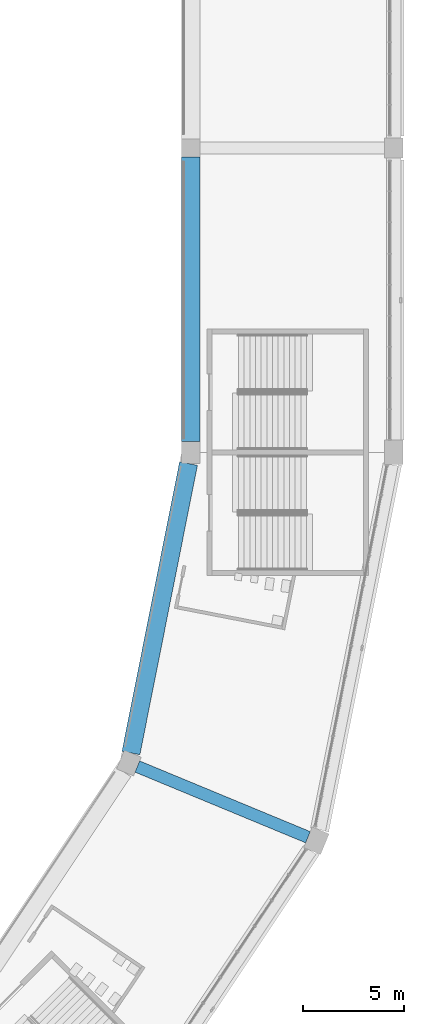
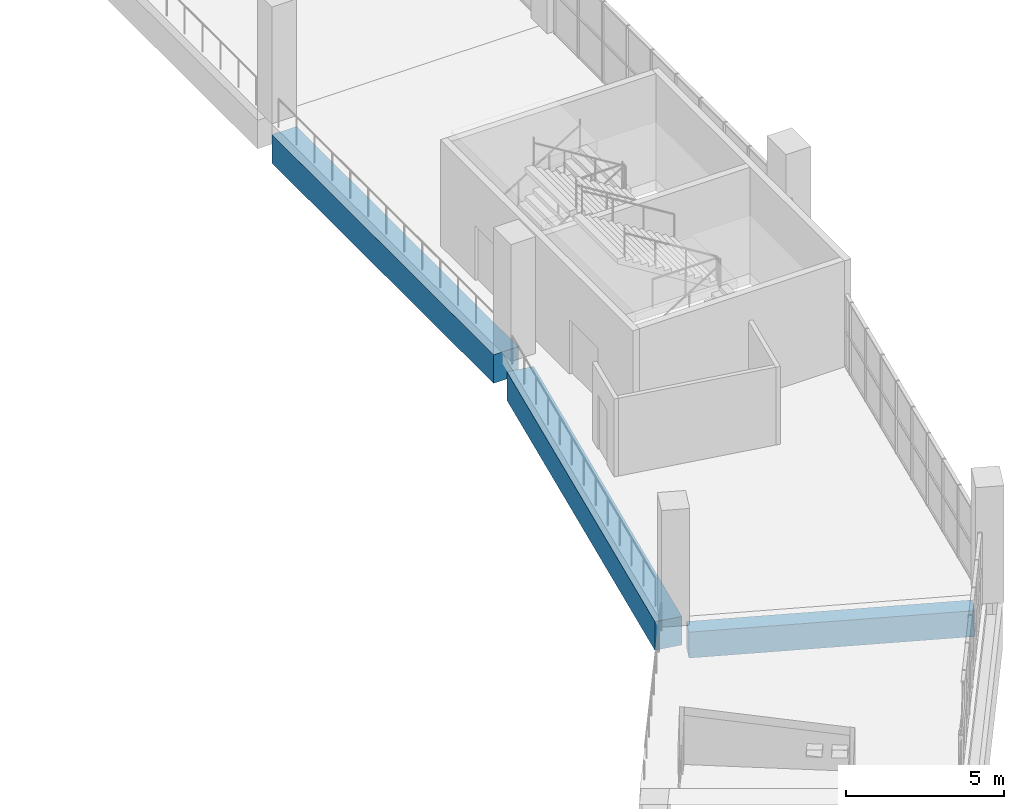
# One storey, part 19 of 177: 3 beams.
"""IFC4 building model written with IfcOpenShell, lengths in metres."""

from ifc_helpers import new_model, si_unit, direction, frame, origin, origin_2d, place, context, subcontext, project, spatial, rectangle, extrude, material, material_profile, profile_set, type_object, element, save


model = new_model("IFC4")

# Units and contexts
model_context = context("Model", 3, precision=1e-05, world=origin(), true_north=direction((0.0, 1.0)))
body_context = subcontext(model_context, "Body", "Model", "MODEL_VIEW")
ifc_project = project(units=[si_unit("LENGTHUNIT", "METRE"), si_unit("AREAUNIT", "SQUARE_METRE"), si_unit("VOLUMEUNIT", "CUBIC_METRE"), si_unit("PLANEANGLEUNIT", "RADIAN"), si_unit("MASSUNIT", "GRAM", prefix="KILO")], contexts=[model_context])

# Site, building, storey
site_placement = place(None, origin())
site = spatial("IfcSite", under=ifc_project, at=site_placement, CompositionType="ELEMENT")
building_placement = place(site_placement, origin())
building = spatial("IfcBuilding", under=site, at=building_placement, Name="Ogive Plaza Stadium", CompositionType="ELEMENT")
storey_placement = place(building_placement, frame((0.0, 0.0, 18.0)))
storey = spatial("IfcBuildingStorey", under=building, at=storey_placement, Name="L04", CompositionType="ELEMENT", Elevation=18.0)

# Beams
ifc_material_1 = material(Name="Concrete C40/50", Category="concrete")
ifc_material_profile_1 = material_profile(ifc_material_1, rectangle(XDim=0.60009765625, YDim=1.0, at=origin_2d()), Name="RC 600x1000")
ifc_profile_set_1 = profile_set([ifc_material_profile_1], Name="Concrete C40/50")
beam_type_1 = type_object("IfcBeamType", Name="RC radial beam 600x1000", PredefinedType="BEAM", material=ifc_profile_set_1)
beam_1_placement = place(storey_placement, frame((71.370849609375, -67.9794921875, -0.909912109375), z_axis=(0.923882116707, -0.382677193504, 0.0), x_axis=(0.382677193504, 0.923882116707, 0.0)))
element("IfcBeam", 1, at=beam_1_placement, inside=storey, type_object=beam_type_1, Name="Radial beam L04 R09 F4F5", PredefinedType="BEAM", context=body_context, shape_type="SweptSolid", body=[
    extrude(rectangle(XDim=0.60009765625, YDim=1.0, at=origin_2d()), origin(), (0.0, 0.0, 1.0), 9.10009765625),
])
ifc_material_2 = material(Name="Concrete C40/50", Category="concrete")
ifc_material_profile_2 = material_profile(ifc_material_2, rectangle(XDim=0.89990234375, YDim=1.10009765625, at=origin_2d()), Name="RC 900x1100")
ifc_profile_set_2 = profile_set([ifc_material_profile_2], Name="Concrete C40/50")
beam_type_2 = type_object("IfcBeamType", Name="RC ring beam 900x1100", PredefinedType="BEAM", material=ifc_profile_set_2)
beam_2_placement = place(storey_placement, frame((74.0, -37.949951171875, -0.9599609375), z_axis=(0.0, -1.0, 0.0), x_axis=(1.0, 0.0, 0.0)))
element("IfcBeam", 2, at=beam_2_placement, inside=storey, type_object=beam_type_2, Name="Ring beam F4 L04 B07", PredefinedType="BEAM", context=body_context, shape_type="SweptSolid", body=[
    extrude(rectangle(XDim=0.89990234375, YDim=1.10009765625, at=origin_2d()), origin(), (0.0, 0.0, 1.0), 14.0),
])
beam_3_placement = place(storey_placement, frame((73.890625, -53.050048828125, -0.9599609375), z_axis=(-0.195088957992, -0.980785551724, 0.0), x_axis=(0.980785551724, -0.195088957992, 0.0)))
element("IfcBeam", 3, at=beam_3_placement, inside=storey, type_object=beam_type_2, Name="Ring beam F4 L04 B08", PredefinedType="BEAM", context=body_context, shape_type="SweptSolid", body=[
    extrude(rectangle(XDim=0.89990234375, YDim=1.10009765625, at=origin_2d()), origin(), (0.0, 0.0, 1.0), 14.53662109375),
])

save(model, "model.ifc")
